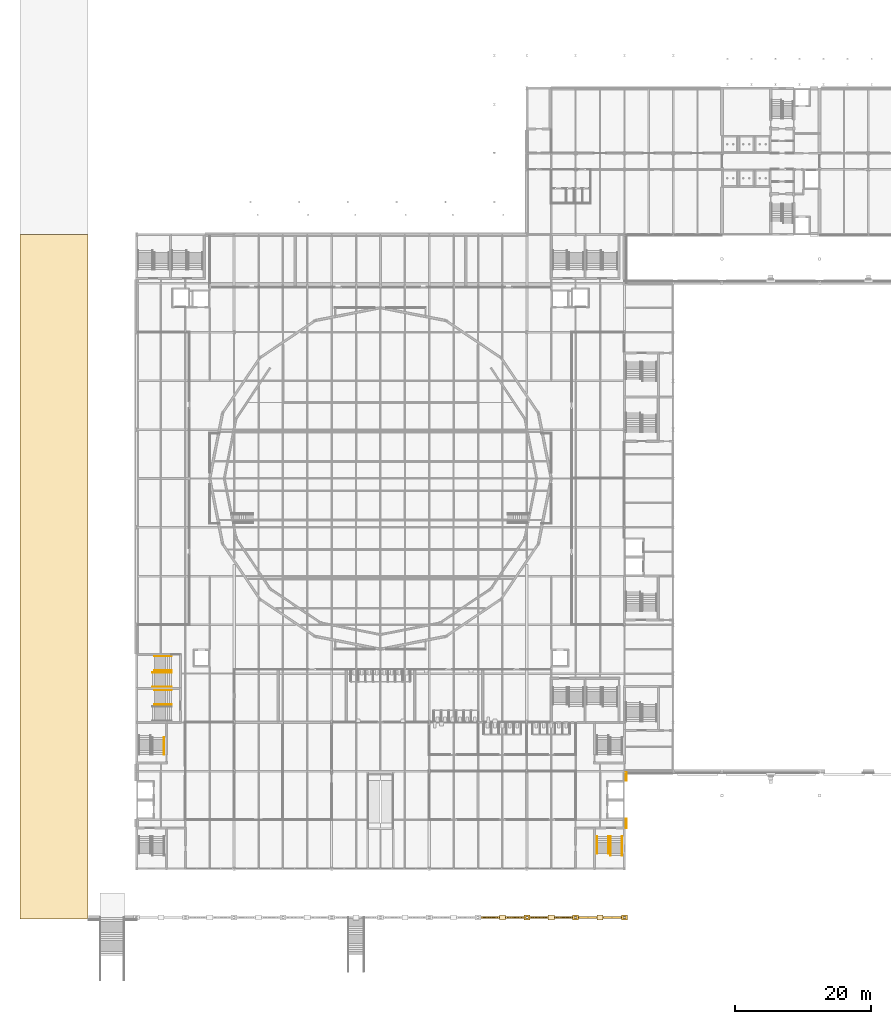
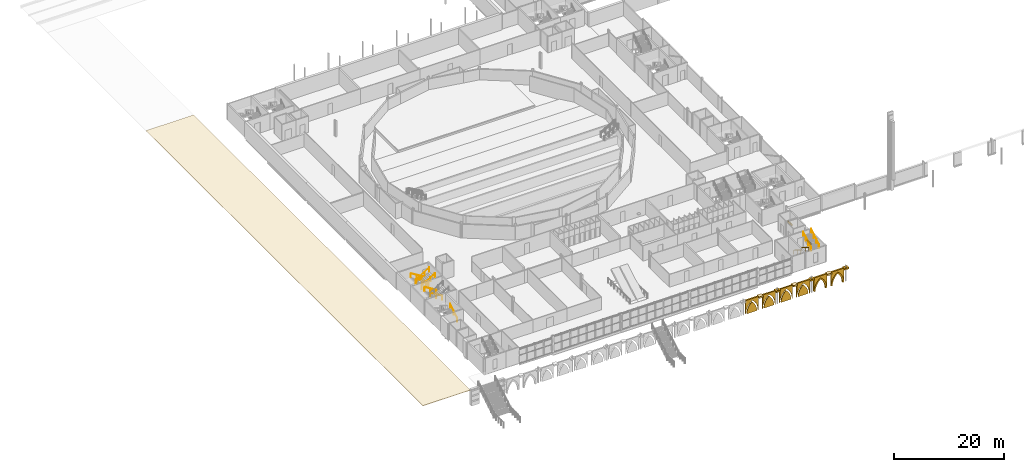
# One storey, part 80 of 90: 21 coverings, 11 railings.
"""IFC4 building model written with IfcOpenShell, lengths in metres."""

import ifcopenshell
import ifcopenshell.guid

model = None  # the IFC model being written
_history = None  # IfcOwnerHistory: only IFC2X3 demands one
_inside = {}  # id of a spatial element -> (the spatial element, [elements in it])
_under = {}  # id of a project, library or spatial element -> (it, [spatial elements below it])
_declared = {}  # id of a project -> (the project, [libraries it declares])
_typed = {}  # id of a type object -> (the type object, [elements of that type])
_made_of = {}  # id of a material, layer set ... -> (it, [elements and type objects made of it])


def new_model(schema):
    """Start an empty IFC model of exactly this schema.

    Asked for "IFC4X3", IfcOpenShell would pick the latest addendum, in which some entities
    have other attributes; the version numbers below select the first issue.
    IFC2X3 requires an IfcOwnerHistory on every rooted entity: one is made here for all.
    """
    global model, _history
    if schema == "IFC4X3":
        model = ifcopenshell.file(schema_version=(4, 3, 0, 0))
    else:
        model = ifcopenshell.file(schema=schema)
    _inside.clear()
    _under.clear()
    _declared.clear()
    _typed.clear()
    _made_of.clear()
    _history = None
    if model.schema == "IFC2X3":
        org = make("IfcOrganization", Name="unknown")
        user = make(
            "IfcPersonAndOrganization",
            ThePerson=make("IfcPerson", FamilyName="unknown"),
            TheOrganization=org,
        )
        app = make(
            "IfcApplication",
            ApplicationDeveloper=org,
            Version="unknown",
            ApplicationFullName="unknown",
            ApplicationIdentifier="unknown",
        )
        _history = make(
            "IfcOwnerHistory",
            OwningUser=user,
            OwningApplication=app,
            ChangeAction="ADDED",
            CreationDate=0,
        )
    return model


def make(cls, **values):
    """One entity of the class cls with the attributes given. An attribute that is None is left unset."""
    return model.create_entity(
        cls, **{name: value for name, value in values.items() if value is not None}
    )


def rooted(cls, **values):
    """An entity with a GlobalId (a new one), such as an element, a storey or a relation."""
    return make(cls, GlobalId=ifcopenshell.guid.new(), OwnerHistory=_history, **values)


def si_unit(unit_type, name, prefix=None):
    """IfcSIUnit, for example si_unit("LENGTHUNIT", "METRE", prefix="MILLI")."""
    return make("IfcSIUnit", UnitType=unit_type, Prefix=prefix, Name=name)


def assignment(units):
    """IfcUnitAssignment: the units of a project."""
    return None if units is None else make("IfcUnitAssignment", Units=units)


def point(xyz):
    """IfcCartesianPoint."""
    return None if xyz is None else make("IfcCartesianPoint", Coordinates=xyz)


def direction(xyz):
    """IfcDirection."""
    return None if xyz is None else make("IfcDirection", DirectionRatios=xyz)


def frame(location, z_axis=None, x_axis=None):
    """IfcAxis2Placement3D, a coordinate frame: its origin and axes. An axis left out is left unset."""
    return make(
        "IfcAxis2Placement3D",
        Location=point(location),
        Axis=direction(z_axis),
        RefDirection=direction(x_axis),
    )


def frame_2d(location, x_axis=None):
    """IfcAxis2Placement2D, a coordinate frame in the plane: its origin and x axis."""
    return make(
        "IfcAxis2Placement2D", Location=point(location), RefDirection=direction(x_axis)
    )


def origin():
    """The frame at (0, 0, 0) with its axes left unset."""
    return frame((0.0, 0.0, 0.0))


def origin_2d():
    """The frame at (0, 0) in the plane with its x axis left unset."""
    return frame_2d((0.0, 0.0))


def place(relative_to, where):
    """IfcLocalPlacement: puts the frame where relative to a parent placement (None: the world)."""
    return make(
        "IfcLocalPlacement", PlacementRelTo=relative_to, RelativePlacement=where
    )


def context(
    kind, dimensions, precision=None, world=None, true_north=None, identifier=None
):
    """IfcGeometricRepresentationContext, for example the 3D "Model" context."""
    return make(
        "IfcGeometricRepresentationContext",
        ContextIdentifier=identifier,
        ContextType=kind,
        CoordinateSpaceDimension=dimensions,
        Precision=precision,
        WorldCoordinateSystem=world,
        TrueNorth=true_north,
    )


def subcontext(parent, identifier, kind, view, scale=None):
    """IfcGeometricRepresentationSubContext, for example "Body" below "Model"."""
    return make(
        "IfcGeometricRepresentationSubContext",
        ContextIdentifier=identifier,
        ContextType=kind,
        ParentContext=parent,
        TargetScale=scale,
        TargetView=view,
    )


def project(units=None, contexts=None):
    """IfcProject with its units and contexts."""
    return rooted(
        "IfcProject",
        Name="project",
        RepresentationContexts=contexts,
        UnitsInContext=assignment(units),
    )


def spatial(cls, under=None, at=None, **own):
    """A site, building, storey or space (cls), placed at a placement, below another one or the project."""
    s = rooted(cls, ObjectPlacement=at, **own)
    if under is not None:
        _under.setdefault(under.id(), (under, []))[1].append(s)
    return s


def polyline(points):
    """IfcPolyline through the points."""
    return make("IfcPolyline", Points=[point(p) for p in points])


def profile(cls, at=None, kind="AREA", **sizes):
    """A parametric profile (cls). Its sizes go by their IFC names, for example OverallWidth=200.0."""
    return make(cls, ProfileType=kind, Position=at, **sizes)


def rectangle(**sizes):
    """IfcRectangleProfileDef."""
    return profile("IfcRectangleProfileDef", **sizes)


def circle(**sizes):
    """IfcCircleProfileDef."""
    return profile("IfcCircleProfileDef", **sizes)


def outline(outer, holes=None, kind="AREA"):
    """IfcArbitraryClosedProfileDef: a profile drawn as a closed curve; with holes, ...WithVoids."""
    if holes is None:
        return make("IfcArbitraryClosedProfileDef", ProfileType=kind, OuterCurve=outer)
    return make(
        "IfcArbitraryProfileDefWithVoids",
        ProfileType=kind,
        OuterCurve=outer,
        InnerCurves=holes,
    )


def extrude(swept, where, along, depth):
    """IfcExtrudedAreaSolid: the profile swept, set in the frame where, extruded along a direction by depth."""
    return make(
        "IfcExtrudedAreaSolid",
        SweptArea=swept,
        Position=where,
        ExtrudedDirection=direction(along),
        Depth=depth,
    )


def shape(context_of_items, identifier, shape_type, items):
    """IfcShapeRepresentation: the items that make up one representation, for example the "Body"."""
    return make(
        "IfcShapeRepresentation",
        ContextOfItems=context_of_items,
        RepresentationIdentifier=identifier,
        RepresentationType=shape_type,
        Items=items,
    )


def material(Name=None, Category=None):
    """IfcMaterial."""
    return make("IfcMaterial", Name=Name, Category=Category)


def layer(
    of_material, thickness, ventilated=None, Name=None, Category=None, Priority=None
):
    """IfcMaterialLayer: one layer of a wall or slab, of a material (None: an air gap)."""
    return make(
        "IfcMaterialLayer",
        Material=of_material,
        LayerThickness=thickness,
        IsVentilated=ventilated,
        Name=Name,
        Category=Category,
        Priority=Priority,
    )


def layer_set(layers, Name=None):
    """IfcMaterialLayerSet."""
    return make("IfcMaterialLayerSet", MaterialLayers=layers, LayerSetName=Name)


def made_of(thing, what):
    """Note that an element or type object is made of a material, layer set ...; save() writes the relation."""
    if what is not None:
        _made_of.setdefault(what.id(), (what, []))[1].append(thing)
    return thing


def type_object(cls, material=None, **own):
    """A type object (cls), such as IfcWallType, which elements share."""
    return made_of(rooted(cls, **own), material)


def element(
    cls,
    number,
    at=None,
    inside=None,
    cuts=None,
    type_object=None,
    material=None,
    context=None,
    identifier="Body",
    shape_type=None,
    held_by="IfcProductDefinitionShape",
    body=None,
    shapes=None,
    **own,
):
    """One element of the class cls, such as IfcWall. Its Tag is "e" and its number.

    at: its placement. inside: the storey or other place that contains it. cuts: it is an
    opening in that element (IfcRelVoidsElement). A single representation is given by context,
    identifier, shape_type and body (its items); several are given by shapes. held_by: the class
    of the entity that holds the representations. save() writes the other relations.
    """
    e = rooted(cls, Tag="e%d" % number, ObjectPlacement=at, **own)
    if body is not None:
        shapes = [shape(context, identifier, shape_type, body)]
    if shapes is not None:
        e.Representation = make(held_by, Representations=shapes)
    if inside is not None:
        _inside.setdefault(inside.id(), (inside, []))[1].append(e)
    if cuts is not None:
        rooted(
            "IfcRelVoidsElement", RelatingBuildingElement=cuts, RelatedOpeningElement=e
        )
    if type_object is not None:
        _typed.setdefault(type_object.id(), (type_object, []))[1].append(e)
    return made_of(e, material)


def aggregate(whole, parts):
    """IfcRelAggregates: a whole, such as a stair, and the parts it consists of."""
    return rooted("IfcRelAggregates", RelatingObject=whole, RelatedObjects=parts)


def save(model, path):
    """Write the relations noted so far, then the file.

    IfcRelAggregates (storeys below a building ...), IfcRelContainedInSpatialStructure (elements
    in a storey), IfcRelDefinesByType, IfcRelAssociatesMaterial and IfcRelDeclares: one each for
    every whole, place, type object, material and project.
    """
    for whole, parts in _under.values():
        aggregate(whole, parts)
    for where, things in _inside.values():
        rooted(
            "IfcRelContainedInSpatialStructure",
            RelatedElements=things,
            RelatingStructure=where,
        )
    for kind, things in _typed.values():
        rooted("IfcRelDefinesByType", RelatedObjects=things, RelatingType=kind)
    for what, things in _made_of.values():
        rooted("IfcRelAssociatesMaterial", RelatedObjects=things, RelatingMaterial=what)
    for by, libraries in _declared.values():
        rooted("IfcRelDeclares", RelatingContext=by, RelatedDefinitions=libraries)
    model.write(path)


model = new_model("IFC4")

# Units and contexts
model_context = context("Model", 3, precision=1e-05, world=origin(), true_north=direction((0.0, 1.0)))
body_context = subcontext(model_context, "Body", "Model", "MODEL_VIEW")
ifc_project = project(units=[si_unit("LENGTHUNIT", "METRE"), si_unit("AREAUNIT", "SQUARE_METRE"), si_unit("VOLUMEUNIT", "CUBIC_METRE"), si_unit("PLANEANGLEUNIT", "RADIAN"), si_unit("MASSUNIT", "GRAM", prefix="KILO")], contexts=[model_context])

# Site, building, storey
site_placement = place(None, origin())
site = spatial("IfcSite", under=ifc_project, at=site_placement, CompositionType="ELEMENT")
building_placement = place(site_placement, origin())
building = spatial("IfcBuilding", under=site, at=building_placement, Name="Kupolbacken Congress Centre", CompositionType="ELEMENT")
storey_placement = place(building_placement, frame((0.0, 0.0, 3.60009765625)))
storey = spatial("IfcBuildingStorey", under=building, at=storey_placement, Name="L01", CompositionType="ELEMENT", Elevation=3.60009765625)

# Coverings
ifc_material_1 = material(Name="Brick cladding", Category="masonry")
ifc_layer_1 = layer(ifc_material_1, 0.10791015625)
ifc_layer_set_1 = layer_set([ifc_layer_1], Name="Brick cladding")
covering_type_1 = type_object("IfcCoveringType", Name="CV2 brick cladding band 108", PredefinedType="CLADDING", material=ifc_layer_set_1)
covering_1_placement = place(storey_placement, frame((79.48388671875, 35.47509765625, 0.0), z_axis=(0.0, 0.0, 1.0), x_axis=(0.0, 1.0, 0.0)))
element("IfcCovering", 1, at=covering_1_placement, inside=storey, type_object=covering_type_1, Name="E/F/E/L01/133/band", PredefinedType="CLADDING", context=body_context, shape_type="SweptSolid", body=[
    extrude(rectangle(XDim=1.35009765625, YDim=0.10791015625, at=origin_2d()), origin(), (0.0, 0.0, 1.0), 0.300048828125),
])
covering_2_placement = place(storey_placement, frame((79.48388671875, 42.39990234375, 0.0), z_axis=(0.0, 0.0, 1.0), x_axis=(0.0, 1.0, 0.0)))
element("IfcCovering", 2, at=covering_2_placement, inside=storey, type_object=covering_type_1, Name="E/F/E/L01/134/band", PredefinedType="CLADDING", context=body_context, shape_type="SweptSolid", body=[
    extrude(rectangle(XDim=1.300048828125, YDim=0.10791015625, at=origin_2d()), origin(), (0.0, 0.0, 1.0), 0.300048828125),
])
ifc_material_2 = material(Name="Limestone cladding", Category="masonry")
ifc_layer_2 = layer(ifc_material_2, 0.60009765625)
ifc_layer_set_2 = layer_set([ifc_layer_2], Name="Limestone cladding")
covering_type_2 = type_object("IfcCoveringType", Name="CV5 limestone arcade pier 600", PredefinedType="CLADDING", material=ifc_layer_set_2)
covering_3_placement = place(storey_placement, frame((0.0, 0.0, 2.77001953125)))
element("IfcCovering", 3, at=covering_3_placement, inside=storey, type_object=covering_type_2, Name="F/arc/pier/061.2/cap", PredefinedType="CLADDING", context=body_context, shape_type="SweptSolid", body=[
    extrude(outline(polyline([(60.75, 21.199951171875), (61.64990234375, 21.199951171875), (61.64990234375, 22.0), (60.75, 22.0), (60.75, 21.199951171875)])), origin(), (0.0, 0.0, 1.0), 0.349853515625),
])
covering_4_placement = place(storey_placement, frame((0.0, 0.0, 2.77001953125)))
element("IfcCovering", 4, at=covering_4_placement, inside=storey, type_object=covering_type_2, Name="F/arc/pier/064.8/cap", PredefinedType="CLADDING", context=body_context, shape_type="SweptSolid", body=[
    extrude(outline(polyline([(64.35009765625, 21.199951171875), (65.25, 21.199951171875), (65.25, 22.0), (64.35009765625, 22.0), (64.35009765625, 21.199951171875)]), holes=[polyline([(64.659912109375, 21.4599609375), (64.93994140625, 21.4599609375), (64.93994140625, 21.739990234375), (64.659912109375, 21.739990234375), (64.659912109375, 21.4599609375)])]), origin(), (0.0, 0.0, 1.0), 0.349853515625),
])
covering_5_placement = place(storey_placement, frame((0.0, 0.0, 2.77001953125)))
element("IfcCovering", 5, at=covering_5_placement, inside=storey, type_object=covering_type_2, Name="F/arc/pier/068.4/cap", PredefinedType="CLADDING", context=body_context, shape_type="SweptSolid", body=[
    extrude(outline(polyline([(67.949951171875, 21.199951171875), (68.85009765625, 21.199951171875), (68.85009765625, 22.0), (67.949951171875, 22.0), (67.949951171875, 21.199951171875)])), origin(), (0.0, 0.0, 1.0), 0.349853515625),
])
covering_6_placement = place(storey_placement, frame((0.0, 0.0, 2.77001953125)))
element("IfcCovering", 6, at=covering_6_placement, inside=storey, type_object=covering_type_2, Name="F/arc/pier/072.0/cap", PredefinedType="CLADDING", context=body_context, shape_type="SweptSolid", body=[
    extrude(outline(polyline([(71.550048828125, 21.199951171875), (72.449951171875, 21.199951171875), (72.449951171875, 22.0), (71.550048828125, 22.0), (71.550048828125, 21.199951171875)]), holes=[polyline([(71.860107421875, 21.4599609375), (72.139892578125, 21.4599609375), (72.139892578125, 21.739990234375), (71.860107421875, 21.739990234375), (71.860107421875, 21.4599609375)])]), origin(), (0.0, 0.0, 1.0), 0.349853515625),
])
covering_7_placement = place(storey_placement, frame((0.0, 0.0, 2.77001953125)))
element("IfcCovering", 7, at=covering_7_placement, inside=storey, type_object=covering_type_2, Name="F/arc/pier/075.6/cap", PredefinedType="CLADDING", context=body_context, shape_type="SweptSolid", body=[
    extrude(outline(polyline([(75.14990234375, 21.199951171875), (76.050048828125, 21.199951171875), (76.050048828125, 22.0), (75.14990234375, 22.0), (75.14990234375, 21.199951171875)])), origin(), (0.0, 0.0, 1.0), 0.349853515625),
])
covering_8_placement = place(storey_placement, frame((0.0, 0.0, 2.77001953125)))
element("IfcCovering", 8, at=covering_8_placement, inside=storey, type_object=covering_type_2, Name="F/arc/pier/079.2/cap", PredefinedType="CLADDING", context=body_context, shape_type="SweptSolid", body=[
    extrude(outline(polyline([(78.75, 21.199951171875), (79.64990234375, 21.199951171875), (79.64990234375, 22.0), (78.75, 22.0), (78.75, 21.199951171875)]), holes=[polyline([(79.06005859375, 21.4599609375), (79.340087890625, 21.4599609375), (79.340087890625, 21.739990234375), (79.06005859375, 21.739990234375), (79.06005859375, 21.4599609375)])]), origin(), (0.0, 0.0, 1.0), 0.349853515625),
])
ifc_material_3 = material(Name="Limestone cladding", Category="masonry")
ifc_layer_3 = layer(ifc_material_3, 0.300048828125)
ifc_layer_set_3 = layer_set([ifc_layer_3], Name="Limestone cladding")
covering_type_3 = type_object("IfcCoveringType", Name="CV6 limestone arcade arch frame 300", PredefinedType="CLADDING", material=ifc_layer_set_3)
covering_9_placement = place(storey_placement, frame((72.449951171875, 21.449951171875, 0.02001953125), z_axis=(0.0, 1.0, 0.0), x_axis=(-1.0, 0.0, 0.0)))
element("IfcCovering", 9, at=covering_9_placement, inside=storey, type_object=covering_type_3, Name="F/arc/arch/072.0", PredefinedType="CLADDING", context=body_context, shape_type="SweptSolid", body=[
    extrude(outline(polyline([(0.0, 0.0), (-0.00732421875, 0.223388671875), (-0.029541015625, 0.44580078125), (-0.06640625, 0.666259765625), (-0.117919921875, 0.8837890625), (-0.183349609375, 1.097412109375), (-0.262939453125, 1.30615234375), (-0.356201171875, 1.50927734375), (-0.462890625, 1.705810546875), (-0.58203125, 1.894775390625), (-0.713623046875, 2.075439453125), (-0.85693359375, 2.2470703125), (-1.010986328125, 2.408935546875), (-1.17578125, 2.56005859375), (-1.35009765625, 2.699951171875), (-1.5244140625, 2.56005859375), (-1.68896484375, 2.408935546875), (-1.843017578125, 2.2470703125), (-1.986328125, 2.075439453125), (-2.117919921875, 1.894775390625), (-2.2373046875, 1.705810546875), (-2.34375, 1.50927734375), (-2.43701171875, 1.30615234375), (-2.5166015625, 1.097412109375), (-2.582275390625, 0.8837890625), (-2.633544921875, 0.666259765625), (-2.67041015625, 0.44580078125), (-2.692626953125, 0.223388671875), (-2.699951171875, 0.0), (-2.39990234375, 0.0), (-2.394287109375, 0.18701171875), (-2.377197265625, 0.373291015625), (-2.348876953125, 0.55810546875), (-2.309326171875, 0.7412109375), (-2.2587890625, 0.921142578125), (-2.197265625, 1.097900390625), (-2.125244140625, 1.2705078125), (-2.042724609375, 1.4384765625), (-1.9501953125, 1.60107421875), (-1.847900390625, 1.7578125), (-1.736572265625, 1.907958984375), (-1.615966796875, 2.051025390625), (-1.487060546875, 2.186767578125), (-1.35009765625, 2.314208984375), (-1.212890625, 2.186767578125), (-1.083984375, 2.051025390625), (-0.96337890625, 1.907958984375), (-0.85205078125, 1.7578125), (-0.749755859375, 1.60107421875), (-0.6572265625, 1.4384765625), (-0.57470703125, 1.2705078125), (-0.502685546875, 1.097900390625), (-0.441162109375, 0.921142578125), (-0.390625, 0.7412109375), (-0.35107421875, 0.55810546875), (-0.32275390625, 0.373291015625), (-0.3056640625, 0.18701171875), (-0.300048828125, 0.0), (0.0, 0.0)])), origin(), (0.0, 0.0, 1.0), 0.300048828125),
])
covering_10_placement = place(storey_placement, frame((76.050048828125, 21.449951171875, 0.02001953125), z_axis=(0.0, 1.0, 0.0), x_axis=(-1.0, 0.0, 0.0)))
element("IfcCovering", 10, at=covering_10_placement, inside=storey, type_object=covering_type_3, Name="F/arc/arch/075.6", PredefinedType="CLADDING", context=body_context, shape_type="SweptSolid", body=[
    extrude(outline(polyline([(0.0, 0.0), (-0.00732421875, 0.223388671875), (-0.029541015625, 0.44580078125), (-0.06640625, 0.666259765625), (-0.117919921875, 0.8837890625), (-0.183349609375, 1.097412109375), (-0.262939453125, 1.30615234375), (-0.356201171875, 1.50927734375), (-0.462890625, 1.705810546875), (-0.58203125, 1.894775390625), (-0.713623046875, 2.075439453125), (-0.85693359375, 2.2470703125), (-1.010986328125, 2.408935546875), (-1.17578125, 2.56005859375), (-1.35009765625, 2.699951171875), (-1.5244140625, 2.56005859375), (-1.68896484375, 2.408935546875), (-1.843017578125, 2.2470703125), (-1.986328125, 2.075439453125), (-2.117919921875, 1.894775390625), (-2.2373046875, 1.705810546875), (-2.34375, 1.50927734375), (-2.43701171875, 1.30615234375), (-2.5166015625, 1.097412109375), (-2.582275390625, 0.8837890625), (-2.633544921875, 0.666259765625), (-2.67041015625, 0.44580078125), (-2.692626953125, 0.223388671875), (-2.699951171875, 0.0), (-2.39990234375, 0.0), (-2.394287109375, 0.18701171875), (-2.377197265625, 0.373291015625), (-2.348876953125, 0.55810546875), (-2.309326171875, 0.7412109375), (-2.2587890625, 0.921142578125), (-2.197265625, 1.097900390625), (-2.125244140625, 1.2705078125), (-2.042724609375, 1.4384765625), (-1.9501953125, 1.60107421875), (-1.847900390625, 1.7578125), (-1.736572265625, 1.907958984375), (-1.615966796875, 2.051025390625), (-1.487060546875, 2.186767578125), (-1.35009765625, 2.314208984375), (-1.212890625, 2.186767578125), (-1.083984375, 2.051025390625), (-0.96337890625, 1.907958984375), (-0.85205078125, 1.7578125), (-0.749755859375, 1.60107421875), (-0.6572265625, 1.4384765625), (-0.57470703125, 1.2705078125), (-0.502685546875, 1.097900390625), (-0.441162109375, 0.921142578125), (-0.390625, 0.7412109375), (-0.35107421875, 0.55810546875), (-0.32275390625, 0.373291015625), (-0.3056640625, 0.18701171875), (-0.300048828125, 0.0), (0.0, 0.0)])), origin(), (0.0, 0.0, 1.0), 0.300048828125),
])
ifc_material_4 = material(Name="Limestone cladding", Category="masonry")
ifc_layer_4 = layer(ifc_material_4, 0.300048828125)
ifc_layer_set_4 = layer_set([ifc_layer_4], Name="Limestone cladding")
covering_type_4 = type_object("IfcCoveringType", Name="CV7 limestone arcade spandrel 300", PredefinedType="CLADDING", material=ifc_layer_set_4)
covering_11_placement = place(storey_placement, frame((58.050048828125, 21.449951171875, 0.02001953125), z_axis=(0.0, 1.0, 0.0), x_axis=(-1.0, 0.0, 0.0)))
element("IfcCovering", 11, at=covering_11_placement, inside=storey, type_object=covering_type_4, Name="F/arc/span/057.6", PredefinedType="CLADDING", context=body_context, shape_type="SweptSolid", body=[
    extrude(outline(polyline([(0.0, 0.0), (0.0, 3.10009765625), (-2.699951171875, 3.10009765625), (-2.699951171875, 0.0), (-2.692626953125, 0.223388671875), (-2.67041015625, 0.44580078125), (-2.633544921875, 0.666259765625), (-2.582275390625, 0.8837890625), (-2.5166015625, 1.097412109375), (-2.43701171875, 1.30615234375), (-2.34375, 1.50927734375), (-2.2373046875, 1.705810546875), (-2.117919921875, 1.894775390625), (-1.986328125, 2.075439453125), (-1.843017578125, 2.2470703125), (-1.68896484375, 2.408935546875), (-1.5244140625, 2.56005859375), (-1.35009765625, 2.699951171875), (-1.17578125, 2.56005859375), (-1.010986328125, 2.408935546875), (-0.85693359375, 2.2470703125), (-0.713623046875, 2.075439453125), (-0.58203125, 1.894775390625), (-0.462890625, 1.705810546875), (-0.356201171875, 1.50927734375), (-0.262939453125, 1.30615234375), (-0.183349609375, 1.097412109375), (-0.117919921875, 0.8837890625), (-0.06640625, 0.666259765625), (-0.029541015625, 0.44580078125), (-0.00732421875, 0.223388671875), (0.0, 0.0)])), origin(), (0.0, 0.0, 1.0), 0.300048828125),
])
covering_12_placement = place(storey_placement, frame((58.050048828125, 21.52490234375, 0.02001953125), z_axis=(0.0, 1.0, 0.0), x_axis=(-1.0, 0.0, 0.0)))
element("IfcCovering", 12, at=covering_12_placement, inside=storey, type_object=covering_type_4, Name="F/arc/tymp/057.6", PredefinedType="CLADDING", context=body_context, shape_type="SweptSolid", body=[
    extrude(outline(polyline([(-0.300048828125, 0.0), (-0.3056640625, 0.18701171875), (-0.32275390625, 0.373291015625), (-0.35107421875, 0.55810546875), (-0.390625, 0.7412109375), (-0.441162109375, 0.921142578125), (-0.502685546875, 1.097900390625), (-0.57470703125, 1.2705078125), (-0.6572265625, 1.4384765625), (-0.749755859375, 1.60107421875), (-0.85205078125, 1.7578125), (-0.96337890625, 1.907958984375), (-1.083984375, 2.051025390625), (-1.212890625, 2.186767578125), (-1.35009765625, 2.314208984375), (-1.487060546875, 2.186767578125), (-1.615966796875, 2.051025390625), (-1.736572265625, 1.907958984375), (-1.847900390625, 1.7578125), (-1.9501953125, 1.60107421875), (-2.042724609375, 1.4384765625), (-2.125244140625, 1.2705078125), (-2.197265625, 1.097900390625), (-2.2587890625, 0.921142578125), (-2.309326171875, 0.7412109375), (-2.348876953125, 0.55810546875), (-2.377197265625, 0.373291015625), (-2.394287109375, 0.18701171875), (-2.39990234375, 0.0), (-0.300048828125, 0.0)])), origin(), (0.0, 0.0, 1.0), 0.14990234375),
])
covering_13_placement = place(storey_placement, frame((61.64990234375, 21.449951171875, 0.02001953125), z_axis=(0.0, 1.0, 0.0), x_axis=(-1.0, 0.0, 0.0)))
element("IfcCovering", 13, at=covering_13_placement, inside=storey, type_object=covering_type_4, Name="F/arc/span/061.2", PredefinedType="CLADDING", context=body_context, shape_type="SweptSolid", body=[
    extrude(outline(polyline([(0.0, 0.0), (0.0, 3.10009765625), (-2.699951171875, 3.10009765625), (-2.699951171875, 0.0), (-2.692626953125, 0.223388671875), (-2.67041015625, 0.44580078125), (-2.633544921875, 0.666259765625), (-2.582275390625, 0.8837890625), (-2.5166015625, 1.097412109375), (-2.43701171875, 1.30615234375), (-2.34375, 1.50927734375), (-2.2373046875, 1.705810546875), (-2.117919921875, 1.894775390625), (-1.986328125, 2.075439453125), (-1.843017578125, 2.2470703125), (-1.68896484375, 2.408935546875), (-1.5244140625, 2.56005859375), (-1.35009765625, 2.699951171875), (-1.17578125, 2.56005859375), (-1.010986328125, 2.408935546875), (-0.85693359375, 2.2470703125), (-0.713623046875, 2.075439453125), (-0.58203125, 1.894775390625), (-0.462890625, 1.705810546875), (-0.356201171875, 1.50927734375), (-0.262939453125, 1.30615234375), (-0.183349609375, 1.097412109375), (-0.117919921875, 0.8837890625), (-0.06640625, 0.666259765625), (-0.029541015625, 0.44580078125), (-0.00732421875, 0.223388671875), (0.0, 0.0)])), origin(), (0.0, 0.0, 1.0), 0.300048828125),
])
covering_14_placement = place(storey_placement, frame((61.64990234375, 21.52490234375, 0.02001953125), z_axis=(0.0, 1.0, 0.0), x_axis=(-1.0, 0.0, 0.0)))
element("IfcCovering", 14, at=covering_14_placement, inside=storey, type_object=covering_type_4, Name="F/arc/tymp/061.2", PredefinedType="CLADDING", context=body_context, shape_type="SweptSolid", body=[
    extrude(outline(polyline([(-0.300048828125, 0.0), (-0.3056640625, 0.18701171875), (-0.32275390625, 0.373291015625), (-0.35107421875, 0.55810546875), (-0.390625, 0.7412109375), (-0.441162109375, 0.921142578125), (-0.502685546875, 1.097900390625), (-0.57470703125, 1.2705078125), (-0.6572265625, 1.4384765625), (-0.749755859375, 1.60107421875), (-0.85205078125, 1.7578125), (-0.96337890625, 1.907958984375), (-1.083984375, 2.051025390625), (-1.212890625, 2.186767578125), (-1.35009765625, 2.314208984375), (-1.487060546875, 2.186767578125), (-1.615966796875, 2.051025390625), (-1.736572265625, 1.907958984375), (-1.847900390625, 1.7578125), (-1.9501953125, 1.60107421875), (-2.042724609375, 1.4384765625), (-2.125244140625, 1.2705078125), (-2.197265625, 1.097900390625), (-2.2587890625, 0.921142578125), (-2.309326171875, 0.7412109375), (-2.348876953125, 0.55810546875), (-2.377197265625, 0.373291015625), (-2.394287109375, 0.18701171875), (-2.39990234375, 0.0), (-0.300048828125, 0.0)])), origin(), (0.0, 0.0, 1.0), 0.14990234375),
])
covering_15_placement = place(storey_placement, frame((65.25, 21.449951171875, 0.02001953125), z_axis=(0.0, 1.0, 0.0), x_axis=(-1.0, 0.0, 0.0)))
element("IfcCovering", 15, at=covering_15_placement, inside=storey, type_object=covering_type_4, Name="F/arc/span/064.8", PredefinedType="CLADDING", context=body_context, shape_type="SweptSolid", body=[
    extrude(outline(polyline([(0.0, 0.0), (0.0, 3.10009765625), (-2.699951171875, 3.10009765625), (-2.699951171875, 0.0), (-2.692626953125, 0.223388671875), (-2.67041015625, 0.44580078125), (-2.633544921875, 0.666259765625), (-2.582275390625, 0.8837890625), (-2.5166015625, 1.097412109375), (-2.43701171875, 1.30615234375), (-2.34375, 1.50927734375), (-2.2373046875, 1.705810546875), (-2.117919921875, 1.894775390625), (-1.986328125, 2.075439453125), (-1.843017578125, 2.2470703125), (-1.68896484375, 2.408935546875), (-1.5244140625, 2.56005859375), (-1.35009765625, 2.699951171875), (-1.17578125, 2.56005859375), (-1.010986328125, 2.408935546875), (-0.85693359375, 2.2470703125), (-0.713623046875, 2.075439453125), (-0.58203125, 1.894775390625), (-0.462890625, 1.705810546875), (-0.356201171875, 1.50927734375), (-0.262939453125, 1.30615234375), (-0.183349609375, 1.097412109375), (-0.117919921875, 0.8837890625), (-0.06640625, 0.666259765625), (-0.029541015625, 0.44580078125), (-0.00732421875, 0.223388671875), (0.0, 0.0)])), origin(), (0.0, 0.0, 1.0), 0.300048828125),
])
covering_16_placement = place(storey_placement, frame((65.25, 21.52490234375, 0.02001953125), z_axis=(0.0, 1.0, 0.0), x_axis=(-1.0, 0.0, 0.0)))
element("IfcCovering", 16, at=covering_16_placement, inside=storey, type_object=covering_type_4, Name="F/arc/tymp/064.8", PredefinedType="CLADDING", context=body_context, shape_type="SweptSolid", body=[
    extrude(outline(polyline([(-0.300048828125, 0.0), (-0.3056640625, 0.18701171875), (-0.32275390625, 0.373291015625), (-0.35107421875, 0.55810546875), (-0.390625, 0.7412109375), (-0.441162109375, 0.921142578125), (-0.502685546875, 1.097900390625), (-0.57470703125, 1.2705078125), (-0.6572265625, 1.4384765625), (-0.749755859375, 1.60107421875), (-0.85205078125, 1.7578125), (-0.96337890625, 1.907958984375), (-1.083984375, 2.051025390625), (-1.212890625, 2.186767578125), (-1.35009765625, 2.314208984375), (-1.487060546875, 2.186767578125), (-1.615966796875, 2.051025390625), (-1.736572265625, 1.907958984375), (-1.847900390625, 1.7578125), (-1.9501953125, 1.60107421875), (-2.042724609375, 1.4384765625), (-2.125244140625, 1.2705078125), (-2.197265625, 1.097900390625), (-2.2587890625, 0.921142578125), (-2.309326171875, 0.7412109375), (-2.348876953125, 0.55810546875), (-2.377197265625, 0.373291015625), (-2.394287109375, 0.18701171875), (-2.39990234375, 0.0), (-0.300048828125, 0.0)])), origin(), (0.0, 0.0, 1.0), 0.14990234375),
])
covering_17_placement = place(storey_placement, frame((68.85009765625, 21.449951171875, 0.02001953125), z_axis=(0.0, 1.0, 0.0), x_axis=(-1.0, 0.0, 0.0)))
element("IfcCovering", 17, at=covering_17_placement, inside=storey, type_object=covering_type_4, Name="F/arc/span/068.4", PredefinedType="CLADDING", context=body_context, shape_type="SweptSolid", body=[
    extrude(outline(polyline([(0.0, 0.0), (0.0, 3.10009765625), (-2.699951171875, 3.10009765625), (-2.699951171875, 0.0), (-2.692626953125, 0.223388671875), (-2.67041015625, 0.44580078125), (-2.633544921875, 0.666259765625), (-2.582275390625, 0.8837890625), (-2.5166015625, 1.097412109375), (-2.43701171875, 1.30615234375), (-2.34375, 1.50927734375), (-2.2373046875, 1.705810546875), (-2.117919921875, 1.894775390625), (-1.986328125, 2.075439453125), (-1.843017578125, 2.2470703125), (-1.68896484375, 2.408935546875), (-1.5244140625, 2.56005859375), (-1.35009765625, 2.699951171875), (-1.17578125, 2.56005859375), (-1.010986328125, 2.408935546875), (-0.85693359375, 2.2470703125), (-0.713623046875, 2.075439453125), (-0.58203125, 1.894775390625), (-0.462890625, 1.705810546875), (-0.356201171875, 1.50927734375), (-0.262939453125, 1.30615234375), (-0.183349609375, 1.097412109375), (-0.117919921875, 0.8837890625), (-0.06640625, 0.666259765625), (-0.029541015625, 0.44580078125), (-0.00732421875, 0.223388671875), (0.0, 0.0)])), origin(), (0.0, 0.0, 1.0), 0.300048828125),
])
covering_18_placement = place(storey_placement, frame((68.85009765625, 21.52490234375, 0.02001953125), z_axis=(0.0, 1.0, 0.0), x_axis=(-1.0, 0.0, 0.0)))
element("IfcCovering", 18, at=covering_18_placement, inside=storey, type_object=covering_type_4, Name="F/arc/tymp/068.4", PredefinedType="CLADDING", context=body_context, shape_type="SweptSolid", body=[
    extrude(outline(polyline([(-0.300048828125, 0.0), (-0.3056640625, 0.18701171875), (-0.32275390625, 0.373291015625), (-0.35107421875, 0.55810546875), (-0.390625, 0.7412109375), (-0.441162109375, 0.921142578125), (-0.502685546875, 1.097900390625), (-0.57470703125, 1.2705078125), (-0.6572265625, 1.4384765625), (-0.749755859375, 1.60107421875), (-0.85205078125, 1.7578125), (-0.96337890625, 1.907958984375), (-1.083984375, 2.051025390625), (-1.212890625, 2.186767578125), (-1.35009765625, 2.314208984375), (-1.487060546875, 2.186767578125), (-1.615966796875, 2.051025390625), (-1.736572265625, 1.907958984375), (-1.847900390625, 1.7578125), (-1.9501953125, 1.60107421875), (-2.042724609375, 1.4384765625), (-2.125244140625, 1.2705078125), (-2.197265625, 1.097900390625), (-2.2587890625, 0.921142578125), (-2.309326171875, 0.7412109375), (-2.348876953125, 0.55810546875), (-2.377197265625, 0.373291015625), (-2.394287109375, 0.18701171875), (-2.39990234375, 0.0), (-0.300048828125, 0.0)])), origin(), (0.0, 0.0, 1.0), 0.14990234375),
])
for number, where, z_axis, x_axis, name in (
    (19, (72.449951171875, 21.449951171875, 0.02001953125), (0.0, 1.0, 0.0), (-1.0, 0.0, 0.0), "F/arc/span/072.0"),
    (20, (76.050048828125, 21.449951171875, 0.02001953125), (0.0, 1.0, 0.0), (-1.0, 0.0, 0.0), "F/arc/span/075.6"),
):
    element("IfcCovering", number, at=place(storey_placement, frame(where, z_axis=z_axis, x_axis=x_axis)), inside=storey, type_object=covering_type_4, Name=name, PredefinedType="CLADDING", context=body_context, shape_type="SweptSolid", body=[
        extrude(outline(polyline([(0.0, 0.0), (0.0, 3.10009765625), (-2.699951171875, 3.10009765625), (-2.699951171875, 0.0), (-2.692626953125, 0.223388671875), (-2.67041015625, 0.44580078125), (-2.633544921875, 0.666259765625), (-2.582275390625, 0.8837890625), (-2.5166015625, 1.097412109375), (-2.43701171875, 1.30615234375), (-2.34375, 1.50927734375), (-2.2373046875, 1.705810546875), (-2.117919921875, 1.894775390625), (-1.986328125, 2.075439453125), (-1.843017578125, 2.2470703125), (-1.68896484375, 2.408935546875), (-1.5244140625, 2.56005859375), (-1.35009765625, 2.699951171875), (-1.17578125, 2.56005859375), (-1.010986328125, 2.408935546875), (-0.85693359375, 2.2470703125), (-0.713623046875, 2.075439453125), (-0.58203125, 1.894775390625), (-0.462890625, 1.705810546875), (-0.356201171875, 1.50927734375), (-0.262939453125, 1.30615234375), (-0.183349609375, 1.097412109375), (-0.117919921875, 0.8837890625), (-0.06640625, 0.666259765625), (-0.029541015625, 0.44580078125), (-0.00732421875, 0.223388671875), (0.0, 0.0)])), origin(), (0.0, 0.0, 1.0), 0.300048828125),
    ])
ifc_material_5 = material(Name="Grass", Category="soil")
ifc_layer_5 = layer(ifc_material_5, 0.10009765625)
ifc_layer_set_5 = layer_set([ifc_layer_5], Name="Grass")
covering_type_5 = type_object("IfcCoveringType", Name="GR2 grass surface 100", PredefinedType="FLOORING", material=ifc_layer_set_5)
covering_19_placement = place(storey_placement, frame((0.0, 0.0, 3.5)))
element("IfcCovering", 21, at=covering_19_placement, inside=storey, type_object=covering_type_5, Name="Grass, west hill 21", PredefinedType="FLOORING", context=body_context, shape_type="SweptSolid", body=[
    extrude(outline(polyline([(0.0, 21.375), (-10.0, 21.375), (-10.0, 122.39990234375), (0.0, 122.39990234375), (0.0, 21.375)])), origin(), (0.0, 0.0, 1.0), 0.099853515625),
])

# Railings
ifc_material_6 = material(Name="Steel S235", Category="steel")
railing_type = type_object("IfcRailingType", Name="RL3 handrail wall-mounted 900", PredefinedType="HANDRAIL", material=ifc_material_6)
railing_placement = place(storey_placement, frame((11.25, 45.655029296875, 0.17138671875)))
element("IfcRailing", 22, at=railing_placement, inside=storey, type_object=railing_type, Name="C/stair/FS2W/L01/HR1R", PredefinedType="HANDRAIL", context=body_context, shape_type="SweptSolid", body=[
    extrude(circle(Radius=0.02392578125, at=origin_2d()), frame((0.0, 0.0, 0.8759765625), z_axis=(0.0, 0.852873080145, 0.522118290393), x_axis=(-1.0, 0.0, 0.0)), (0.0, 0.0, 1.0), 2.954833984375),
    extrude(circle(Radius=0.02099609375, at=origin_2d()), origin(), (0.0, 0.0, 1.0), 0.851806640625),
    extrude(circle(Radius=0.02099609375, at=origin_2d()), frame((0.0, 1.260009765625, 0.771484375)), (0.0, 0.0, 1.0), 0.851806640625),
    extrude(circle(Radius=0.02099609375, at=origin_2d()), frame((0.0, 2.52001953125, 1.542724609375)), (0.0, 0.0, 1.0), 0.851806640625),
])
for number, where, name in (
    (23, (76.85009765625, 33.544921875, 0.17138671875), "C/stair/FS1E/L01/HR1L"),
    (24, (75.14990234375, 33.544921875, 0.17138671875), "C/stair/FS1E/L01/HR1R"),
):
    element("IfcRailing", number, at=place(storey_placement, frame(where)), inside=storey, type_object=railing_type, Name=name, PredefinedType="HANDRAIL", context=body_context, shape_type="SweptSolid", body=[
        extrude(circle(Radius=0.02392578125, at=origin_2d()), frame((0.0, 0.0, 0.8759765625), z_axis=(0.0, -0.852873080145, 0.522118290393), x_axis=(1.0, 0.0, 0.0)), (0.0, 0.0, 1.0), 2.954833984375),
        extrude(circle(Radius=0.02099609375, at=origin_2d()), origin(), (0.0, 0.0, 1.0), 0.851806640625),
        extrude(circle(Radius=0.02099609375, at=origin_2d()), frame((0.0, -1.260009765625, 0.771484375)), (0.0, 0.0, 1.0), 0.851806640625),
        extrude(circle(Radius=0.02099609375, at=origin_2d()), frame((0.0, -2.52001953125, 1.542724609375)), (0.0, 0.0, 1.0), 0.851806640625),
    ])
for number, where, name in (
    (25, (77.14990234375, 30.7451171875, 1.885498046875), "C/stair/FS1E/L01/HR2L"),
    (26, (78.85009765625, 30.7451171875, 1.885498046875), "C/stair/FS1E/L01/HR2R"),
):
    element("IfcRailing", number, at=place(storey_placement, frame(where)), inside=storey, type_object=railing_type, Name=name, PredefinedType="HANDRAIL", context=body_context, shape_type="SweptSolid", body=[
        extrude(circle(Radius=0.02392578125, at=origin_2d()), frame((0.0, 0.0, 0.8759765625), z_axis=(0.0, 0.852825620865, 0.522195806567), x_axis=(-1.0, 0.0, 0.0)), (0.0, 0.0, 1.0), 3.282958984375),
        extrude(circle(Radius=0.02099609375, at=origin_2d()), origin(), (0.0, 0.0, 1.0), 0.851806640625),
        extrude(circle(Radius=0.02099609375, at=origin_2d()), frame((0.0, 0.933349609375, 0.571533203125)), (0.0, 0.0, 1.0), 0.851806640625),
        extrude(circle(Radius=0.02099609375, at=origin_2d()), frame((0.0, 1.866455078125, 1.142822265625)), (0.0, 0.0, 1.0), 0.851806640625),
        extrude(circle(Radius=0.02099609375, at=origin_2d()), frame((0.0, 2.7998046875, 1.71435546875)), (0.0, 0.0, 1.0), 0.851806640625),
    ])
for number, where, name in (
    (27, (12.344970703125, 53.050048828125, 0.17138671875), "C/stair/PS1SW/L01/HR1L"),
    (28, (12.344970703125, 55.14990234375, 0.17138671875), "C/stair/PS1SW/L01/HR1R"),
    (29, (12.344970703125, 58.050048828125, 0.17138671875), "C/stair/PS2SW/L01/HR1L"),
    (30, (12.344970703125, 60.14990234375, 0.17138671875), "C/stair/PS2SW/L01/HR1R"),
):
    element("IfcRailing", number, at=place(storey_placement, frame(where)), inside=storey, type_object=railing_type, Name=name, PredefinedType="HANDRAIL", context=body_context, shape_type="SweptSolid", body=[
        extrude(circle(Radius=0.02392578125, at=origin_2d()), frame((0.0, 0.0, 0.8759765625), z_axis=(-0.852873080145, 0.0, 0.522118290393), x_axis=(0.0, -1.0, 0.0)), (0.0, 0.0, 1.0), 2.954833984375),
        extrude(circle(Radius=0.02099609375, at=origin_2d()), origin(), (0.0, 0.0, 1.0), 0.851806640625),
        extrude(circle(Radius=0.02099609375, at=origin_2d()), frame((-1.260009765625, 0.0, 0.771484375)), (0.0, 0.0, 1.0), 0.851806640625),
        extrude(circle(Radius=0.02099609375, at=origin_2d()), frame((-2.52001953125, 0.0, 1.542724609375)), (0.0, 0.0, 1.0), 0.851806640625),
    ])
for number, where, name in (
    (31, (9.544921875, 57.75, 1.885498046875), "C/stair/PS2SW/L01/HR2L"),
    (32, (9.544921875, 55.64990234375, 1.885498046875), "C/stair/PS2SW/L01/HR2R"),
):
    element("IfcRailing", number, at=place(storey_placement, frame(where)), inside=storey, type_object=railing_type, Name=name, PredefinedType="HANDRAIL", context=body_context, shape_type="SweptSolid", body=[
        extrude(circle(Radius=0.02392578125, at=origin_2d()), frame((0.0, 0.0, 0.8759765625), z_axis=(0.852845897599, 0.0, 0.522162690116), x_axis=(0.0, 1.0, 0.0)), (0.0, 0.0, 1.0), 3.283203125),
        extrude(circle(Radius=0.02099609375, at=origin_2d()), origin(), (0.0, 0.0, 1.0), 0.851806640625),
        extrude(circle(Radius=0.02099609375, at=origin_2d()), frame((0.933349609375, 0.0, 0.571533203125)), (0.0, 0.0, 1.0), 0.851806640625),
        extrude(circle(Radius=0.02099609375, at=origin_2d()), frame((1.86669921875, 0.0, 1.142822265625)), (0.0, 0.0, 1.0), 0.851806640625),
        extrude(circle(Radius=0.02099609375, at=origin_2d()), frame((2.800048828125, 0.0, 1.71435546875)), (0.0, 0.0, 1.0), 0.851806640625),
    ])

save(model, "model.ifc")
